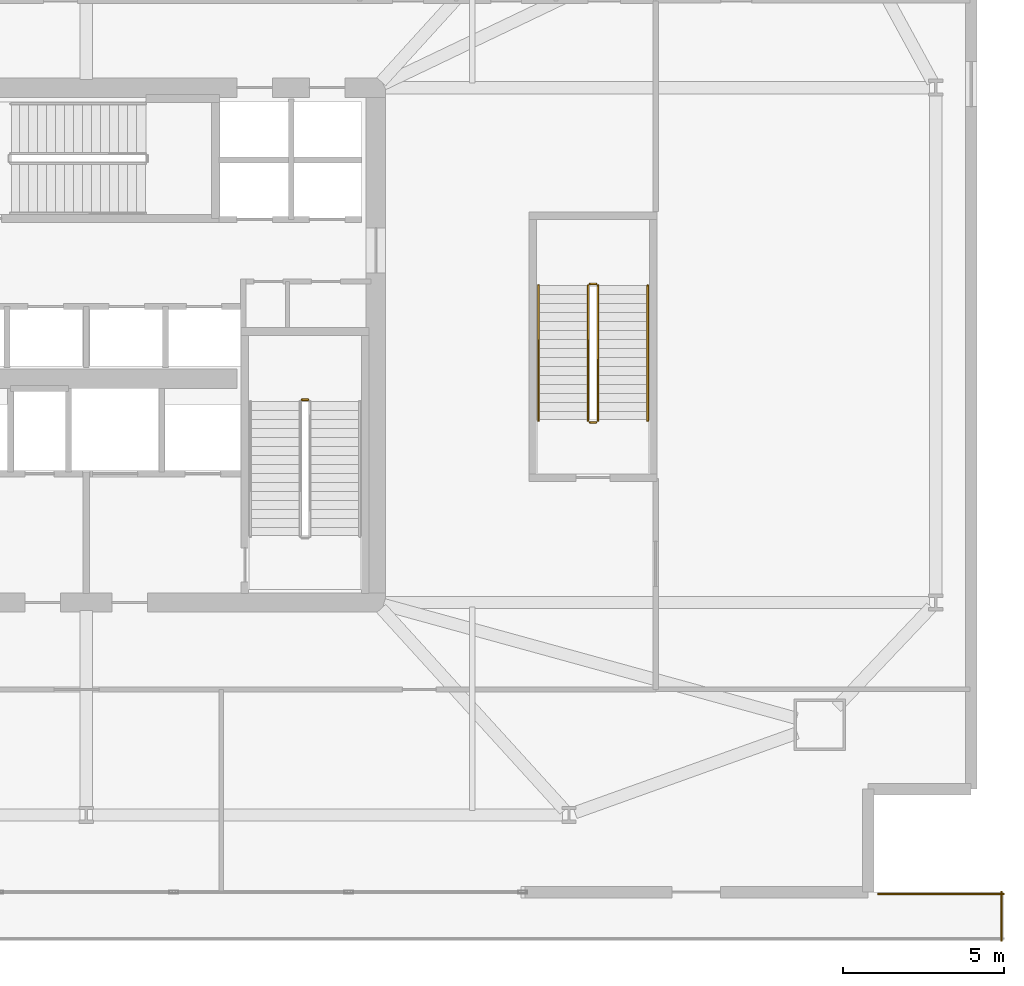
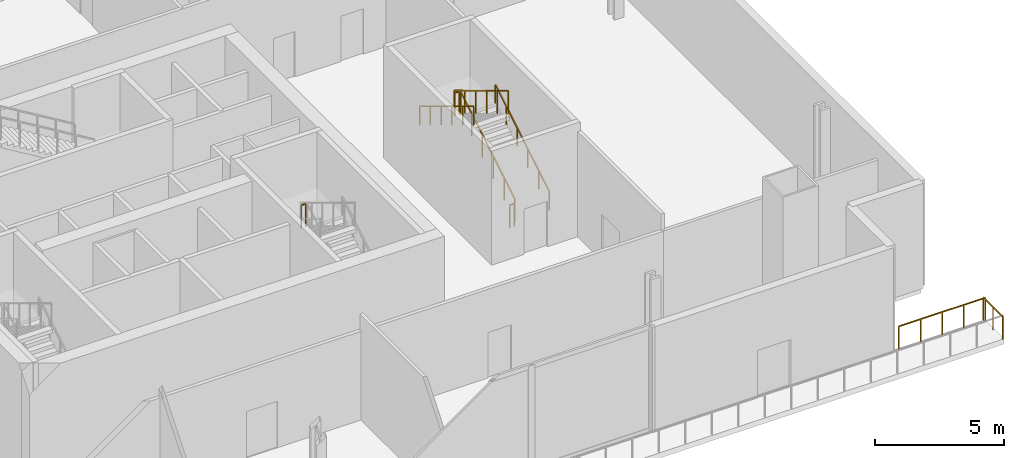
# One storey, part 15 of 16: 9 railings.
"""IFC4 building model written with IfcOpenShell, lengths in metres."""

from ifc_helpers import new_model, si_unit, direction, frame, origin, origin_2d, place, context, subcontext, project, spatial, rectangle, extrude, material, type_object, element, save


model = new_model("IFC4")

# Units and contexts
model_context = context("Model", 3, precision=1e-05, world=origin(), true_north=direction((0.0, 1.0)))
body_context = subcontext(model_context, "Body", "Model", "MODEL_VIEW")
ifc_project = project(units=[si_unit("LENGTHUNIT", "METRE"), si_unit("AREAUNIT", "SQUARE_METRE"), si_unit("VOLUMEUNIT", "CUBIC_METRE"), si_unit("PLANEANGLEUNIT", "RADIAN"), si_unit("MASSUNIT", "GRAM", prefix="KILO")], contexts=[model_context])

# Site, building, storey
site_placement = place(None, origin())
site = spatial("IfcSite", under=ifc_project, at=site_placement, CompositionType="ELEMENT")
building_placement = place(site_placement, origin())
building = spatial("IfcBuilding", under=site, at=building_placement, Name="Haldenkirk Collegiate Tower", CompositionType="ELEMENT")
storey_placement = place(building_placement, frame((0.0, 0.0, 16.800048828125)))
storey = spatial("IfcBuildingStorey", under=building, at=storey_placement, Name="L03", CompositionType="ELEMENT", Elevation=16.800048828125)

# Railings
ifc_material_1 = material(Name="Painted architectural tubular steel", Category="steel")
railing_type_1 = type_object("IfcRailingType", Name="RLG-STAIR-GUARD-1100", PredefinedType="BALUSTRADE", material=ifc_material_1)
railing_1_placement = place(storey_placement, frame((42.89990234375, 24.300048828125, 2.699951171875)))
element("IfcRailing", 1, at=railing_1_placement, inside=storey, type_object=railing_type_1, Name="L03 ST-2 stair guard 2", PredefinedType="BALUSTRADE", context=body_context, shape_type="SweptSolid", body=[
    extrude(rectangle(XDim=0.048095703125, YDim=0.048095703125, at=origin_2d()), frame((0.0, 0.0, 1.076171875), z_axis=(-1.0, 0.0, 0.0), x_axis=(0.0, -1.0, 0.0)), (0.0, 0.0, 1.0), 0.199951171875),
    extrude(rectangle(XDim=0.0419921875, YDim=0.0419921875, at=origin_2d()), origin(), (0.0, 0.0, 1.0), 1.052001953125),
    extrude(rectangle(XDim=0.0419921875, YDim=0.0419921875, at=origin_2d()), frame((-0.199951171875, 0.0, 0.0)), (0.0, 0.0, 1.0), 1.052001953125),
])
railing_2_placement = place(storey_placement, frame((51.89990234375, 23.64990234375, 0.168701171875)))
element("IfcRailing", 2, at=railing_2_placement, inside=storey, type_object=railing_type_1, Name="L03 ST-5 stair guard 1", PredefinedType="BALUSTRADE", context=body_context, shape_type="SweptSolid", body=[
    extrude(rectangle(XDim=0.048095703125, YDim=0.048095703125, at=origin_2d()), frame((0.0, 0.0, 1.076171875), z_axis=(0.0, 0.856489757249, 0.516164020179), x_axis=(-1.0, 0.0, 0.0)), (0.0, 0.0, 1.0), 4.904052734375),
    extrude(rectangle(XDim=0.0419921875, YDim=0.0419921875, at=origin_2d()), origin(), (0.0, 0.0, 1.0), 1.052001953125),
    extrude(rectangle(XDim=0.0419921875, YDim=0.0419921875, at=origin_2d()), frame((0.0, 0.840087890625, 0.50634765625)), (0.0, 0.0, 1.0), 1.052001953125),
    extrude(rectangle(XDim=0.0419921875, YDim=0.0419921875, at=origin_2d()), frame((0.0, 1.68017578125, 1.012451171875)), (0.0, 0.0, 1.0), 1.052001953125),
    extrude(rectangle(XDim=0.0419921875, YDim=0.0419921875, at=origin_2d()), frame((0.0, 2.52001953125, 1.518798828125)), (0.0, 0.0, 1.0), 1.052001953125),
    extrude(rectangle(XDim=0.0419921875, YDim=0.0419921875, at=origin_2d()), frame((0.0, 3.360107421875, 2.02490234375)), (0.0, 0.0, 1.0), 1.052001953125),
    extrude(rectangle(XDim=0.0419921875, YDim=0.0419921875, at=origin_2d()), frame((0.0, 4.2001953125, 2.53125)), (0.0, 0.0, 1.0), 1.052001953125),
])
railing_3_placement = place(storey_placement, frame((51.85009765625, 27.89990234375, 2.699951171875)))
element("IfcRailing", 3, at=railing_3_placement, inside=storey, type_object=railing_type_1, Name="L03 ST-5 stair guard 2", PredefinedType="BALUSTRADE", context=body_context, shape_type="SweptSolid", body=[
    extrude(rectangle(XDim=0.048095703125, YDim=0.048095703125, at=origin_2d()), frame((0.0, 0.0, 1.076171875), z_axis=(-1.0, 0.0, 0.0), x_axis=(0.0, -1.0, 0.0)), (0.0, 0.0, 1.0), 0.2001953125),
    extrude(rectangle(XDim=0.0419921875, YDim=0.0419921875, at=origin_2d()), origin(), (0.0, 0.0, 1.0), 1.052001953125),
    extrude(rectangle(XDim=0.0419921875, YDim=0.0419921875, at=origin_2d()), frame((-0.2001953125, 0.0, 0.0)), (0.0, 0.0, 1.0), 1.052001953125),
])
railing_4_placement = place(storey_placement, frame((51.60009765625, 27.85009765625, 2.86865234375)))
element("IfcRailing", 4, at=railing_4_placement, inside=storey, type_object=railing_type_1, Name="L03 ST-5 stair guard 3", PredefinedType="BALUSTRADE", context=body_context, shape_type="SweptSolid", body=[
    extrude(rectangle(XDim=0.048095703125, YDim=0.048095703125, at=origin_2d()), frame((0.0, 0.0, 1.076171875), z_axis=(0.0, -0.856489757249, 0.516164020179), x_axis=(1.0, 0.0, 0.0)), (0.0, 0.0, 1.0), 4.904052734375),
    extrude(rectangle(XDim=0.0419921875, YDim=0.0419921875, at=origin_2d()), origin(), (0.0, 0.0, 1.0), 1.052001953125),
    extrude(rectangle(XDim=0.0419921875, YDim=0.0419921875, at=origin_2d()), frame((0.0, -0.840087890625, 0.50634765625)), (0.0, 0.0, 1.0), 1.052001953125),
    extrude(rectangle(XDim=0.0419921875, YDim=0.0419921875, at=origin_2d()), frame((0.0, -1.68017578125, 1.012451171875)), (0.0, 0.0, 1.0), 1.052001953125),
    extrude(rectangle(XDim=0.0419921875, YDim=0.0419921875, at=origin_2d()), frame((0.0, -2.52001953125, 1.518798828125)), (0.0, 0.0, 1.0), 1.052001953125),
    extrude(rectangle(XDim=0.0419921875, YDim=0.0419921875, at=origin_2d()), frame((0.0, -3.360107421875, 2.02490234375)), (0.0, 0.0, 1.0), 1.052001953125),
    extrude(rectangle(XDim=0.0419921875, YDim=0.0419921875, at=origin_2d()), frame((0.0, -4.2001953125, 2.53125)), (0.0, 0.0, 1.0), 1.052001953125),
])
railing_5_placement = place(storey_placement, frame((51.85009765625, 23.60009765625, 0.0)))
element("IfcRailing", 5, at=railing_5_placement, inside=storey, type_object=railing_type_1, Name="L03 ST-5 stair guard 4", PredefinedType="BALUSTRADE", context=body_context, shape_type="SweptSolid", body=[
    extrude(rectangle(XDim=0.048095703125, YDim=0.048095703125, at=origin_2d()), frame((0.0, 0.0, 1.076171875), z_axis=(-1.0, 0.0, 0.0), x_axis=(0.0, -1.0, 0.0)), (0.0, 0.0, 1.0), 0.2001953125),
    extrude(rectangle(XDim=0.0419921875, YDim=0.0419921875, at=origin_2d()), origin(), (0.0, 0.0, 1.0), 1.052001953125),
    extrude(rectangle(XDim=0.0419921875, YDim=0.0419921875, at=origin_2d()), frame((-0.2001953125, 0.0, 0.0)), (0.0, 0.0, 1.0), 1.052001953125),
])
railing_type_2 = type_object("IfcRailingType", Name="RLG-STAIR-HANDRAIL-900", PredefinedType="HANDRAIL", material=ifc_material_1)
railing_6_placement = place(storey_placement, frame((53.449951171875, 23.64990234375, 0.168701171875)))
element("IfcRailing", 6, at=railing_6_placement, inside=storey, type_object=railing_type_2, Name="L03 ST-5 stair handrail 1", PredefinedType="HANDRAIL", context=body_context, shape_type="SweptSolid", body=[
    extrude(rectangle(XDim=0.048095703125, YDim=0.048095703125, at=origin_2d()), frame((0.0, 0.0, 0.8759765625), z_axis=(0.0, 0.856489757249, 0.516164020179), x_axis=(-1.0, 0.0, 0.0)), (0.0, 0.0, 1.0), 4.904052734375),
    extrude(rectangle(XDim=0.0419921875, YDim=0.0419921875, at=origin_2d()), origin(), (0.0, 0.0, 1.0), 0.851806640625),
    extrude(rectangle(XDim=0.0419921875, YDim=0.0419921875, at=origin_2d()), frame((0.0, 0.840087890625, 0.50634765625)), (0.0, 0.0, 1.0), 0.851806640625),
    extrude(rectangle(XDim=0.0419921875, YDim=0.0419921875, at=origin_2d()), frame((0.0, 1.68017578125, 1.012451171875)), (0.0, 0.0, 1.0), 0.851806640625),
    extrude(rectangle(XDim=0.0419921875, YDim=0.0419921875, at=origin_2d()), frame((0.0, 2.52001953125, 1.518798828125)), (0.0, 0.0, 1.0), 0.851806640625),
    extrude(rectangle(XDim=0.0419921875, YDim=0.0419921875, at=origin_2d()), frame((0.0, 3.360107421875, 2.02490234375)), (0.0, 0.0, 1.0), 0.851806640625),
    extrude(rectangle(XDim=0.0419921875, YDim=0.0419921875, at=origin_2d()), frame((0.0, 4.2001953125, 2.53125)), (0.0, 0.0, 1.0), 0.851806640625),
])
railing_7_placement = place(storey_placement, frame((50.050048828125, 27.85009765625, 2.86865234375)))
element("IfcRailing", 7, at=railing_7_placement, inside=storey, type_object=railing_type_2, Name="L03 ST-5 stair handrail 2", PredefinedType="HANDRAIL", context=body_context, shape_type="SweptSolid", body=[
    extrude(rectangle(XDim=0.048095703125, YDim=0.048095703125, at=origin_2d()), frame((0.0, 0.0, 0.8759765625), z_axis=(0.0, -0.856489757249, 0.516164020179), x_axis=(1.0, 0.0, 0.0)), (0.0, 0.0, 1.0), 4.904052734375),
    extrude(rectangle(XDim=0.0419921875, YDim=0.0419921875, at=origin_2d()), origin(), (0.0, 0.0, 1.0), 0.851806640625),
    extrude(rectangle(XDim=0.0419921875, YDim=0.0419921875, at=origin_2d()), frame((0.0, -0.840087890625, 0.50634765625)), (0.0, 0.0, 1.0), 0.851806640625),
    extrude(rectangle(XDim=0.0419921875, YDim=0.0419921875, at=origin_2d()), frame((0.0, -1.68017578125, 1.012451171875)), (0.0, 0.0, 1.0), 0.851806640625),
    extrude(rectangle(XDim=0.0419921875, YDim=0.0419921875, at=origin_2d()), frame((0.0, -2.52001953125, 1.518798828125)), (0.0, 0.0, 1.0), 0.851806640625),
    extrude(rectangle(XDim=0.0419921875, YDim=0.0419921875, at=origin_2d()), frame((0.0, -3.360107421875, 2.02490234375)), (0.0, 0.0, 1.0), 0.851806640625),
    extrude(rectangle(XDim=0.0419921875, YDim=0.0419921875, at=origin_2d()), frame((0.0, -4.2001953125, 2.53125)), (0.0, 0.0, 1.0), 0.851806640625),
])
ifc_material_2 = material(Name="Anodised architectural bronze aluminium", Category="aluminium")
railing_type_3 = type_object("IfcRailingType", Name="RLG-TERR-BALUSTRADE-1100", PredefinedType="BALUSTRADE", material=ifc_material_2)
railing_8_placement = place(storey_placement, frame((64.43994140625, 7.5, 0.0)))
element("IfcRailing", 8, at=railing_8_placement, inside=storey, type_object=railing_type_3, Name="L03 terrace guard balustrade 2-1", PredefinedType="BALUSTRADE", context=body_context, shape_type="SweptSolid", body=[
    extrude(rectangle(XDim=0.048095703125, YDim=0.048095703125, at=origin_2d()), frame((0.0, 0.0, 1.076171875), z_axis=(0.0, 1.0, 0.0), x_axis=(-1.0, 0.0, 0.0)), (0.0, 0.0, 1.0), 1.5),
    extrude(rectangle(XDim=0.0419921875, YDim=0.0419921875, at=origin_2d()), origin(), (0.0, 0.0, 1.0), 1.052001953125),
    extrude(rectangle(XDim=0.0419921875, YDim=0.0419921875, at=origin_2d()), frame((0.0, 0.75, 0.0)), (0.0, 0.0, 1.0), 1.052001953125),
    extrude(rectangle(XDim=0.0419921875, YDim=0.0419921875, at=origin_2d()), frame((0.0, 1.5, 0.0)), (0.0, 0.0, 1.0), 1.052001953125),
])
railing_9_placement = place(storey_placement, frame((64.5, 8.93994140625, 0.0)))
element("IfcRailing", 9, at=railing_9_placement, inside=storey, type_object=railing_type_3, Name="L03 terrace guard balustrade 3-1", PredefinedType="BALUSTRADE", context=body_context, shape_type="SweptSolid", body=[
    extrude(rectangle(XDim=0.048095703125, YDim=0.048095703125, at=origin_2d()), frame((0.0, 0.0, 1.076171875), z_axis=(-1.0, 0.0, 0.0), x_axis=(0.0, -1.0, 0.0)), (0.0, 0.0, 1.0), 3.8798828125),
    extrude(rectangle(XDim=0.0419921875, YDim=0.0419921875, at=origin_2d()), origin(), (0.0, 0.0, 1.0), 1.052001953125),
    extrude(rectangle(XDim=0.0419921875, YDim=0.0419921875, at=origin_2d()), frame((-0.969970703125, 0.0, 0.0)), (0.0, 0.0, 1.0), 1.052001953125),
    extrude(rectangle(XDim=0.0419921875, YDim=0.0419921875, at=origin_2d()), frame((-1.93994140625, 0.0, 0.0)), (0.0, 0.0, 1.0), 1.052001953125),
    extrude(rectangle(XDim=0.0419921875, YDim=0.0419921875, at=origin_2d()), frame((-2.909912109375, 0.0, 0.0)), (0.0, 0.0, 1.0), 1.052001953125),
    extrude(rectangle(XDim=0.0419921875, YDim=0.0419921875, at=origin_2d()), frame((-3.8798828125, 0.0, 0.0)), (0.0, 0.0, 1.0), 1.052001953125),
])

save(model, "model.ifc")
